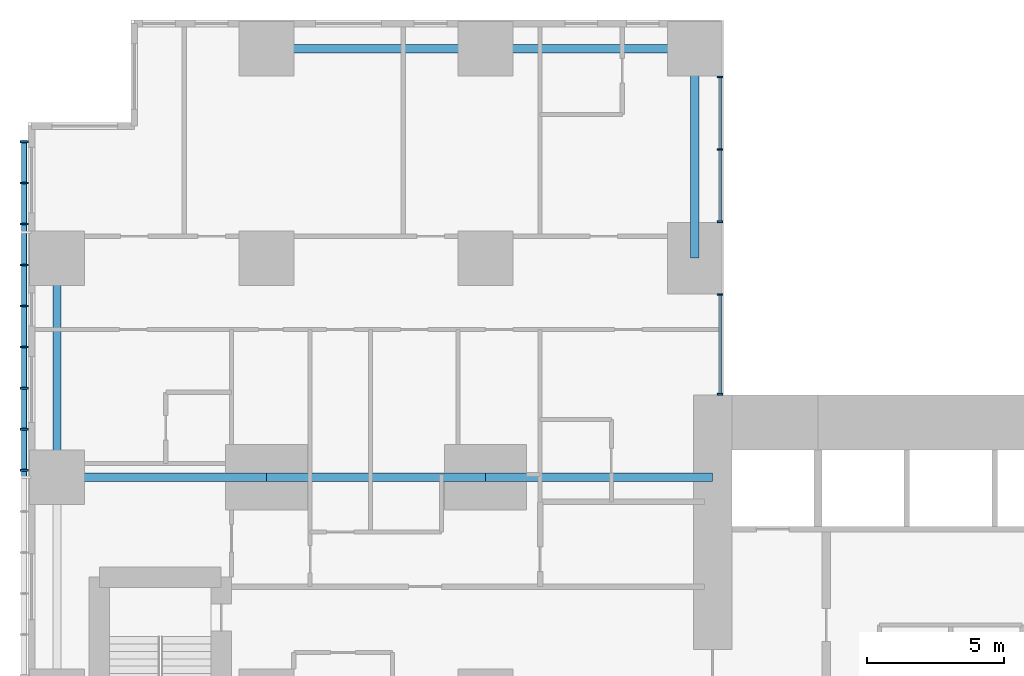
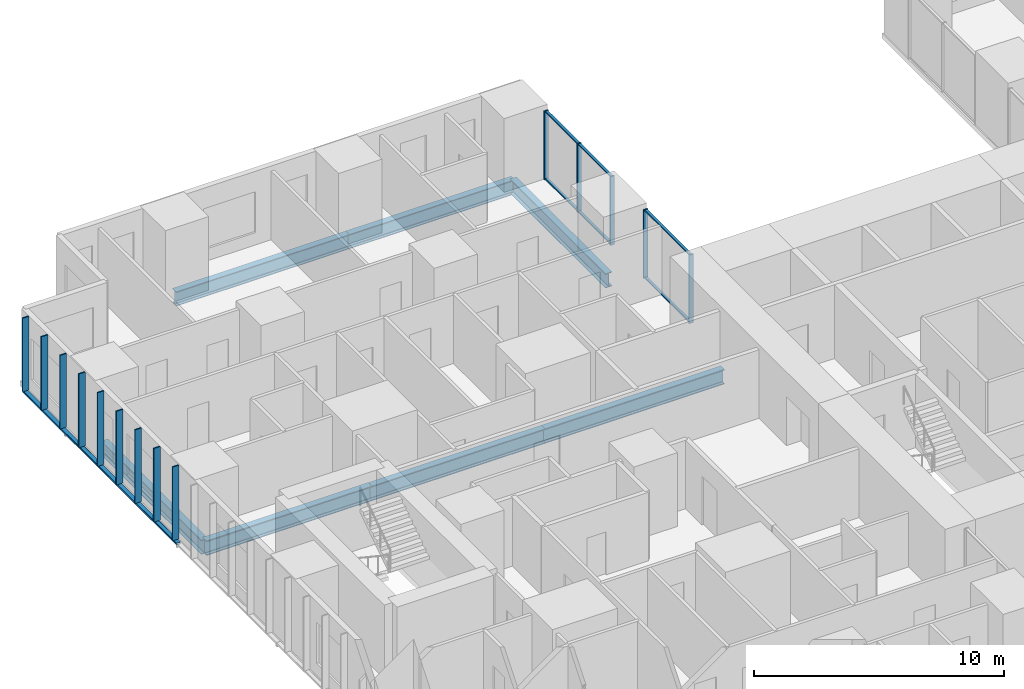
# One storey, part 4 of 20: 21 members, 7 beams, 2 elements without a shape of their own.
"""IFC4 building model written with IfcOpenShell, lengths in metres."""

from ifc_helpers import new_model, si_unit, direction, frame, origin, origin_2d, place, context, subcontext, project, spatial, rectangle, hollow_rectangle, i_section, extrude, material, layer, layer_set, material_profile, profile_set, type_object, element, aggregate, save


model = new_model("IFC4")

# Units and contexts
model_context = context("Model", 3, precision=1e-05, world=origin(), true_north=direction((0.0, 1.0)))
body_context = subcontext(model_context, "Body", "Model", "MODEL_VIEW")
ifc_project = project(units=[si_unit("LENGTHUNIT", "METRE"), si_unit("AREAUNIT", "SQUARE_METRE"), si_unit("VOLUMEUNIT", "CUBIC_METRE"), si_unit("PLANEANGLEUNIT", "RADIAN"), si_unit("MASSUNIT", "GRAM", prefix="KILO")], contexts=[model_context])

# Site, building, storey
site_placement = place(None, origin())
site = spatial("IfcSite", under=ifc_project, at=site_placement, CompositionType="ELEMENT")
building_placement = place(site_placement, origin())
building = spatial("IfcBuilding", under=site, at=building_placement, Name="Cleftline Residences", CompositionType="ELEMENT")
storey_placement = place(building_placement, frame((0.0, 0.0, 36.800048828125)))
storey = spatial("IfcBuildingStorey", under=building, at=storey_placement, Name="L08", CompositionType="ELEMENT", Elevation=36.800048828125)

# Member
ifc_material_1 = material(Name="Steel S355, hot-dip galvanised", Category="steel")
ifc_material_profile_1 = material_profile(ifc_material_1, hollow_rectangle(XDim=0.10009765625, YDim=0.199951171875, WallThickness=0.008056640625, InnerFilletRadius=0.008056640625, OuterFilletRadius=0.011962890625, at=origin_2d()))
ifc_profile_set_1 = profile_set([ifc_material_profile_1], Name="Steel S355, hot-dip galvanised")
member_type_1 = type_object("IfcMemberType", Name="BAGUETTE CARRIER RHS 200X100X8", PredefinedType="USERDEFINED", material=ifc_profile_set_1)
member_1_placement = place(storey_placement, frame((-0.85009765625, 44.300048828125, -0.050048828125), z_axis=(0.0, -1.0, 0.0), x_axis=(0.0, 0.0, 1.0)))
element("IfcMember", 1, at=member_1_placement, inside=storey, type_object=member_type_1, Name="Baguette carrier", ObjectType="BAGUETTE CARRIER", PredefinedType="USERDEFINED", context=body_context, shape_type="SweptSolid", body=[
    extrude(hollow_rectangle(XDim=0.10009765625, YDim=0.199951171875, WallThickness=0.008056640625, InnerFilletRadius=0.008056640625, OuterFilletRadius=0.011962890625, at=origin_2d()), origin(), (0.0, 0.0, 1.0), 12.300048828125),
])

# Beams
ifc_material_2 = material(Name="Steel S355", Category="steel")
ifc_material_profile_2 = material_profile(ifc_material_2, i_section(OverallWidth=0.300048828125, OverallDepth=0.699951171875, WebThickness=0.01708984375, FlangeThickness=0.031982421875, FilletRadius=0.027099609375, at=origin_2d()))
ifc_profile_set_2 = profile_set([ifc_material_profile_2], Name="Steel S355")
beam_type_1 = type_object("IfcBeamType", Name="BEAM HEB 700", PredefinedType="BEAM", material=ifc_profile_set_2)
for number, where, z_axis, x_axis, name in (
    (2, (0.35009765625, 32.0, -0.60009765625), (0.0, 1.0, 0.0), (-1.0, 0.0, 0.0), "Edge beam"),
    (3, (8.0, 47.64990234375, -0.60009765625), (1.0, 0.0, 0.0), (0.0, 1.0, 0.0), "Edge beam"),
):
    element("IfcBeam", number, at=place(storey_placement, frame(where, z_axis=z_axis, x_axis=x_axis)), inside=storey, type_object=beam_type_1, Name=name, PredefinedType="BEAM", context=body_context, shape_type="SweptSolid", body=[
        extrude(i_section(OverallWidth=0.300048828125, OverallDepth=0.699951171875, WebThickness=0.01708984375, FlangeThickness=0.031982421875, FilletRadius=0.027099609375, at=origin_2d()), origin(), (0.0, 0.0, 1.0), 8.0),
    ])
for number, where, z_axis, x_axis, name in (
    (4, (16.0, 47.64990234375, -0.60009765625), (1.0, 0.0, 0.0), (0.0, 1.0, 0.0), "Edge beam"),
    (5, (23.64990234375, 47.64990234375, -0.60009765625), (0.0, -1.0, 0.0), (1.0, 0.0, 0.0), "Edge beam"),
):
    element("IfcBeam", number, at=place(storey_placement, frame(where, z_axis=z_axis, x_axis=x_axis)), inside=storey, type_object=beam_type_1, Name=name, PredefinedType="BEAM", context=body_context, shape_type="SweptSolid", body=[
        extrude(i_section(OverallWidth=0.300048828125, OverallDepth=0.699951171875, WebThickness=0.01708984375, FlangeThickness=0.031982421875, FilletRadius=0.027099609375, at=origin_2d()), origin(), (0.0, 0.0, 1.0), 7.64990234375),
    ])
ifc_material_3 = material(Name="Steel S355", Category="steel")
ifc_material_profile_3 = material_profile(ifc_material_3, i_section(OverallWidth=0.303955078125, OverallDepth=0.716064453125, WebThickness=0.02099609375, FlangeThickness=0.0400390625, FilletRadius=0.027099609375, at=origin_2d()))
ifc_profile_set_3 = profile_set([ifc_material_profile_3], Name="Steel S355")
beam_type_2 = type_object("IfcBeamType", Name="BEAM HEM 700", PredefinedType="BEAM", material=ifc_profile_set_3)
beam_1_placement = place(storey_placement, frame((0.35009765625, 32.0, -0.608154296875), z_axis=(1.0, 0.0, 0.0), x_axis=(0.0, 1.0, 0.0)))
element("IfcBeam", 6, at=beam_1_placement, inside=storey, type_object=beam_type_2, Name="Band beam", PredefinedType="BEAM", context=body_context, shape_type="SweptSolid", body=[
    extrude(i_section(OverallWidth=0.303955078125, OverallDepth=0.716064453125, WebThickness=0.02099609375, FlangeThickness=0.0400390625, FilletRadius=0.027099609375, at=origin_2d()), origin(), (0.0, 0.0, 1.0), 7.64990234375),
])
beam_2_placement = place(storey_placement, frame((8.0, 32.0, -0.608154296875), z_axis=(1.0, 0.0, 0.0), x_axis=(0.0, 1.0, 0.0)))
element("IfcBeam", 7, at=beam_2_placement, inside=storey, type_object=beam_type_2, Name="Band beam", PredefinedType="BEAM", context=body_context, shape_type="SweptSolid", body=[
    extrude(i_section(OverallWidth=0.303955078125, OverallDepth=0.716064453125, WebThickness=0.02099609375, FlangeThickness=0.0400390625, FilletRadius=0.027099609375, at=origin_2d()), origin(), (0.0, 0.0, 1.0), 8.0),
])
beam_3_placement = place(storey_placement, frame((16.0, 32.0, -0.608154296875), z_axis=(1.0, 0.0, 0.0), x_axis=(0.0, 1.0, 0.0)))
element("IfcBeam", 8, at=beam_3_placement, inside=storey, type_object=beam_type_2, Name="Band beam", PredefinedType="BEAM", context=body_context, shape_type="SweptSolid", body=[
    extrude(i_section(OverallWidth=0.303955078125, OverallDepth=0.716064453125, WebThickness=0.02099609375, FlangeThickness=0.0400390625, FilletRadius=0.027099609375, at=origin_2d()), origin(), (0.0, 0.0, 1.0), 8.300048828125),
])

# Curtain wall, members
ifc_material_4 = material(Name="Aluminium framed curtain wall", Category="aluminium")
ifc_layer = layer(ifc_material_4, 0.199951171875)
ifc_layer_set = layer_set([ifc_layer], Name="CW1 CLEFT GLAZING")
curtain_wall_type = type_object("IfcCurtainWallType", Name="CW1 CLEFT GLAZING", PredefinedType="NOTDEFINED", material=ifc_layer_set)
curtain_wall_1_placement = place(storey_placement, origin())
curtain_wall_1 = element("IfcCurtainWall", 9, at=curtain_wall_1_placement, inside=storey, type_object=curtain_wall_type, Name="Curtain wall CW1", PredefinedType="NOTDEFINED")
ifc_material_5 = material(Name="Aluminium mullion", Category="aluminium")
ifc_material_profile_4 = material_profile(ifc_material_5, rectangle(XDim=0.199951171875, YDim=0.06005859375, at=origin_2d()))
ifc_profile_set_4 = profile_set([ifc_material_profile_4], Name="Aluminium mullion")
member_type_2 = type_object("IfcMemberType", Name="CW1 MULLION", PredefinedType="MULLION", material=ifc_profile_set_4)
member_2_placement = place(storey_placement, frame((24.574951171875, 35.030029296875, 0.0), z_axis=(0.0, 0.0, 1.0), x_axis=(-1.0, 0.0, 0.0)))
member_2 = element("IfcMember", 10, at=member_2_placement, type_object=member_type_2, Name="CW1 mullion 1", PredefinedType="MULLION", context=body_context, shape_type="SweptSolid", body=[
    extrude(rectangle(XDim=0.199951171875, YDim=0.06005859375, at=origin_2d()), origin(), (0.0, 0.0, 1.0), 3.349853515625),
])
member_3_placement = place(storey_placement, frame((24.574951171875, 38.669921875, 0.0), z_axis=(0.0, 0.0, 1.0), x_axis=(-1.0, 0.0, 0.0)))
member_3 = element("IfcMember", 11, at=member_3_placement, type_object=member_type_2, Name="CW1 mullion 2", PredefinedType="MULLION", context=body_context, shape_type="SweptSolid", body=[
    extrude(rectangle(XDim=0.199951171875, YDim=0.06005859375, at=origin_2d()), origin(), (0.0, 0.0, 1.0), 3.349853515625),
])

curtain_wall_2_placement = place(storey_placement, origin())
curtain_wall_2 = element("IfcCurtainWall", 12, at=curtain_wall_2_placement, inside=storey, type_object=curtain_wall_type, Name="Curtain wall CW1", PredefinedType="NOTDEFINED")
member_4_placement = place(storey_placement, frame((24.574951171875, 41.330078125, 0.0), z_axis=(0.0, 0.0, 1.0), x_axis=(-1.0, 0.0, 0.0)))
member_4 = element("IfcMember", 13, at=member_4_placement, type_object=member_type_2, Name="CW1 mullion 1", PredefinedType="MULLION", context=body_context, shape_type="SweptSolid", body=[
    extrude(rectangle(XDim=0.199951171875, YDim=0.06005859375, at=origin_2d()), origin(), (0.0, 0.0, 1.0), 3.349853515625),
])
member_5_placement = place(storey_placement, frame((24.574951171875, 43.97509765625, 0.0), z_axis=(0.0, 0.0, 1.0), x_axis=(-1.0, 0.0, 0.0)))
member_5 = element("IfcMember", 14, at=member_5_placement, type_object=member_type_2, Name="CW1 mullion 2", PredefinedType="MULLION", context=body_context, shape_type="SweptSolid", body=[
    extrude(rectangle(XDim=0.199951171875, YDim=0.06005859375, at=origin_2d()), origin(), (0.0, 0.0, 1.0), 3.349853515625),
])
member_6_placement = place(storey_placement, frame((24.574951171875, 46.6201171875, 0.0), z_axis=(0.0, 0.0, 1.0), x_axis=(-1.0, 0.0, 0.0)))
member_6 = element("IfcMember", 15, at=member_6_placement, type_object=member_type_2, Name="CW1 mullion 3", PredefinedType="MULLION", context=body_context, shape_type="SweptSolid", body=[
    extrude(rectangle(XDim=0.199951171875, YDim=0.06005859375, at=origin_2d()), origin(), (0.0, 0.0, 1.0), 3.349853515625),
])

# Member
ifc_material_6 = material(Name="Aluminium transom", Category="aluminium")
ifc_material_profile_5 = material_profile(ifc_material_6, rectangle(XDim=0.1201171875, YDim=0.06005859375, at=origin_2d()))
ifc_profile_set_5 = profile_set([ifc_material_profile_5], Name="Aluminium transom")
member_type_3 = type_object("IfcMemberType", Name="CW1 TRANSOM", PredefinedType="USERDEFINED", material=ifc_profile_set_5)
member_7_placement = place(storey_placement, frame((24.574951171875, 35.06005859375, 0.030029296875), z_axis=(0.0, 1.0, 0.0), x_axis=(-1.0, 0.0, 0.0)))
member_7 = element("IfcMember", 16, at=member_7_placement, type_object=member_type_3, Name="CW1 transom 1.1", ObjectType="TRANSOM", PredefinedType="USERDEFINED", context=body_context, shape_type="SweptSolid", body=[
    extrude(rectangle(XDim=0.1201171875, YDim=0.06005859375, at=origin_2d()), origin(), (0.0, 0.0, 1.0), 3.579833984375),
])

member_8_placement = place(storey_placement, frame((24.574951171875, 35.06005859375, 3.320068359375), z_axis=(0.0, 1.0, 0.0), x_axis=(-1.0, 0.0, 0.0)))
member_8 = element("IfcMember", 17, at=member_8_placement, type_object=member_type_3, Name="CW1 transom 1.2", ObjectType="TRANSOM", PredefinedType="USERDEFINED", context=body_context, shape_type="SweptSolid", body=[
    extrude(rectangle(XDim=0.1201171875, YDim=0.06005859375, at=origin_2d()), origin(), (0.0, 0.0, 1.0), 3.579833984375),
])

aggregate(curtain_wall_1, [member_2, member_3, member_7, member_8])

member_9_placement = place(storey_placement, frame((24.574951171875, 41.360107421875, 0.030029296875), z_axis=(0.0, 1.0, 0.0), x_axis=(-1.0, 0.0, 0.0)))
member_9 = element("IfcMember", 18, at=member_9_placement, type_object=member_type_3, Name="CW1 transom 1.1", ObjectType="TRANSOM", PredefinedType="USERDEFINED", context=body_context, shape_type="SweptSolid", body=[
    extrude(rectangle(XDim=0.1201171875, YDim=0.06005859375, at=origin_2d()), origin(), (0.0, 0.0, 1.0), 2.5849609375),
])

member_10_placement = place(storey_placement, frame((24.574951171875, 41.360107421875, 3.320068359375), z_axis=(0.0, 1.0, 0.0), x_axis=(-1.0, 0.0, 0.0)))
member_10 = element("IfcMember", 19, at=member_10_placement, type_object=member_type_3, Name="CW1 transom 1.2", ObjectType="TRANSOM", PredefinedType="USERDEFINED", context=body_context, shape_type="SweptSolid", body=[
    extrude(rectangle(XDim=0.1201171875, YDim=0.06005859375, at=origin_2d()), origin(), (0.0, 0.0, 1.0), 2.5849609375),
])

member_11_placement = place(storey_placement, frame((24.574951171875, 44.0048828125, 0.030029296875), z_axis=(0.0, 1.0, 0.0), x_axis=(-1.0, 0.0, 0.0)))
member_11 = element("IfcMember", 20, at=member_11_placement, type_object=member_type_3, Name="CW1 transom 2.1", ObjectType="TRANSOM", PredefinedType="USERDEFINED", context=body_context, shape_type="SweptSolid", body=[
    extrude(rectangle(XDim=0.1201171875, YDim=0.06005859375, at=origin_2d()), origin(), (0.0, 0.0, 1.0), 2.585205078125),
])

member_12_placement = place(storey_placement, frame((24.574951171875, 44.0048828125, 3.320068359375), z_axis=(0.0, 1.0, 0.0), x_axis=(-1.0, 0.0, 0.0)))
member_12 = element("IfcMember", 21, at=member_12_placement, type_object=member_type_3, Name="CW1 transom 2.2", ObjectType="TRANSOM", PredefinedType="USERDEFINED", context=body_context, shape_type="SweptSolid", body=[
    extrude(rectangle(XDim=0.1201171875, YDim=0.06005859375, at=origin_2d()), origin(), (0.0, 0.0, 1.0), 2.585205078125),
])

aggregate(curtain_wall_2, [member_4, member_5, member_6, member_9, member_10, member_11, member_12])

# Members
ifc_material_7 = material(Name="Extruded terracotta", Category="masonry")
ifc_material_profile_6 = material_profile(ifc_material_7, rectangle(XDim=0.06005859375, YDim=0.300048828125, at=origin_2d()))
ifc_profile_set_6 = profile_set([ifc_material_profile_6], Name="Extruded terracotta")
member_type_4 = type_object("IfcMemberType", Name="TERRACOTTA BAGUETTE 60X300", PredefinedType="USERDEFINED", material=ifc_profile_set_6)
for number, where, z_axis, x_axis, name in (
    (22, (-0.85009765625, 44.25, 0.0), (0.0, 0.0, 1.0), (0.0, 1.0, 0.0), "Terracotta baguette"),
    (23, (-0.85009765625, 42.75, 0.0), (0.0, 0.0, 1.0), (0.0, 1.0, 0.0), "Terracotta baguette"),
    (24, (-0.85009765625, 41.25, 0.0), (0.0, 0.0, 1.0), (0.0, 1.0, 0.0), "Terracotta baguette"),
    (25, (-0.85009765625, 39.75, 0.0), (0.0, 0.0, 1.0), (0.0, 1.0, 0.0), "Terracotta baguette"),
    (26, (-0.85009765625, 38.25, 0.0), (0.0, 0.0, 1.0), (0.0, 1.0, 0.0), "Terracotta baguette"),
    (27, (-0.85009765625, 36.75, 0.0), (0.0, 0.0, 1.0), (0.0, 1.0, 0.0), "Terracotta baguette"),
    (28, (-0.85009765625, 35.25, 0.0), (0.0, 0.0, 1.0), (0.0, 1.0, 0.0), "Terracotta baguette"),
    (29, (-0.85009765625, 33.75, 0.0), (0.0, 0.0, 1.0), (0.0, 1.0, 0.0), "Terracotta baguette"),
    (30, (-0.85009765625, 32.25, 0.0), (0.0, 0.0, 1.0), (0.0, 1.0, 0.0), "Terracotta baguette"),
):
    element("IfcMember", number, at=place(storey_placement, frame(where, z_axis=z_axis, x_axis=x_axis)), inside=storey, type_object=member_type_4, Name=name, ObjectType="BAGUETTE", PredefinedType="USERDEFINED", context=body_context, shape_type="SweptSolid", body=[
        extrude(rectangle(XDim=0.06005859375, YDim=0.300048828125, at=origin_2d()), origin(), (0.0, 0.0, 1.0), 3.599853515625),
    ])

save(model, "model.ifc")
